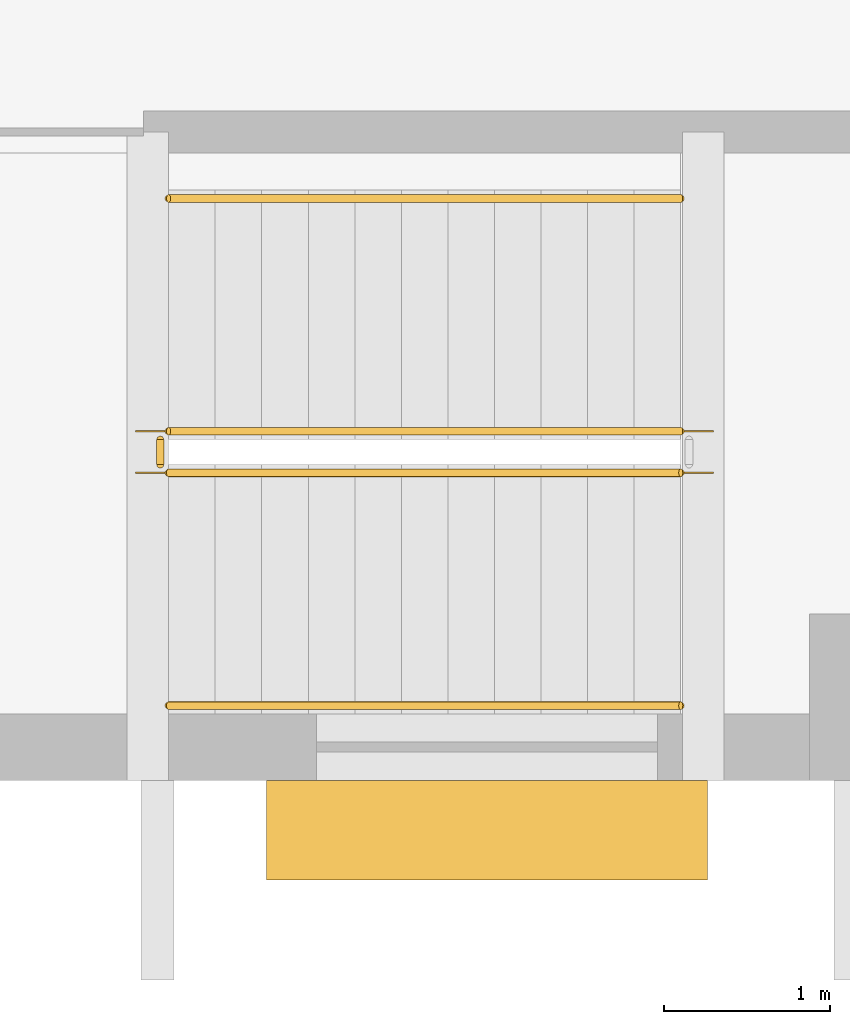
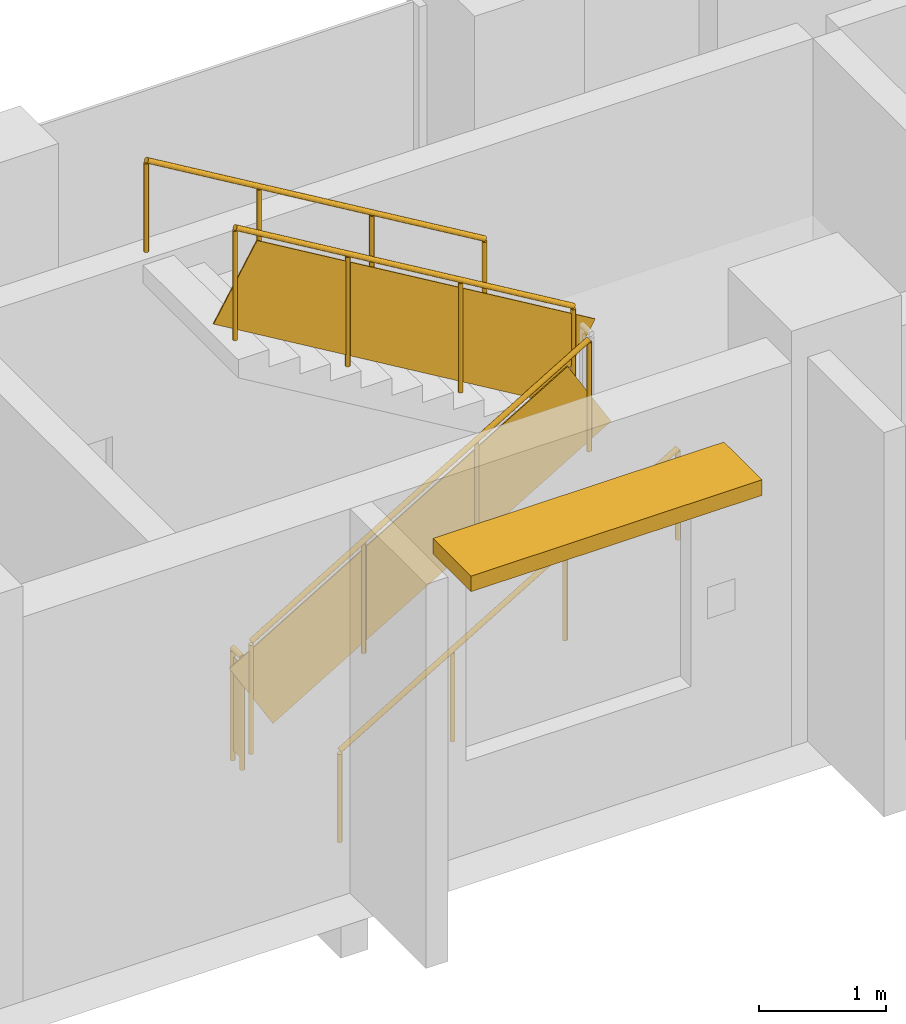
# One storey, part 18 of 25: 5 railings, 1 shading device.
"""IFC4 building model written with IfcOpenShell, lengths in metres."""

from ifc_helpers import new_model, si_unit, direction, frame, origin, origin_2d, place, context, subcontext, project, spatial, rectangle, circle, extrude, material, layer, layer_set, type_object, element, save


model = new_model("IFC4")

# Units and contexts
model_context = context("Model", 3, precision=1e-05, world=origin(), true_north=direction((0.0, 1.0)))
body_context = subcontext(model_context, "Body", "Model", "MODEL_VIEW")
ifc_project = project(units=[si_unit("LENGTHUNIT", "METRE"), si_unit("AREAUNIT", "SQUARE_METRE"), si_unit("VOLUMEUNIT", "CUBIC_METRE"), si_unit("PLANEANGLEUNIT", "RADIAN"), si_unit("MASSUNIT", "GRAM", prefix="KILO")], contexts=[model_context])

# Site, building, storey
site_placement = place(None, origin())
site = spatial("IfcSite", under=ifc_project, at=site_placement, CompositionType="ELEMENT")
building_placement = place(site_placement, origin())
building = spatial("IfcBuilding", under=site, at=building_placement, Name="Vidyagriha Tower", CompositionType="ELEMENT")
storey_placement = place(building_placement, frame((0.0, 0.0, 18.0)))
storey = spatial("IfcBuildingStorey", under=building, at=storey_placement, Name="L04", CompositionType="ELEMENT", Elevation=18.0)

# Shading device
ifc_material_1 = material(Name="Precast concrete C40/50 with brick facing", Category="concrete")
ifc_layer = layer(ifc_material_1, 0.14990234375)
ifc_layer_set = layer_set([ifc_layer], Name="Precast concrete C40/50 with brick facing")
shading_device_type = type_object("IfcShadingDeviceType", Name="Brick chhajja window hood", PredefinedType="AWNING", material=ifc_layer_set)
shading_device_placement = place(storey_placement, frame((-8.43994140625, -50.300048828125, 3.0)))
element("IfcShadingDevice", 1, at=shading_device_placement, inside=storey, type_object=shading_device_type, Name="Window hood L04 R06.17", PredefinedType="AWNING", context=body_context, shape_type="SweptSolid", body=[
    extrude(rectangle(XDim=2.64990234375, YDim=0.60009765625, at=origin_2d()), origin(), (0.0, 0.0, 1.0), 0.14990234375),
])

# Railings
ifc_material_2 = material(Name="Powder coated ASTM A500 Grade C steel balustrade", Category="steel")
railing_type_1 = type_object("IfcRailingType", Name="Podium Stair Guard 1100", PredefinedType="GUARDRAIL", material=ifc_material_2)
railing_1_placement = place(storey_placement, frame((-10.35498046875, -48.14990234375, 0.166748046875)))
element("IfcRailing", 2, at=railing_1_placement, inside=storey, type_object=railing_type_1, Name="L04 PS3 stair guard 1", PredefinedType="GUARDRAIL", context=body_context, shape_type="SweptSolid", body=[
    extrude(circle(Radius=0.02392578125, at=origin_2d()), frame((0.0, 0.0, 1.076171875), z_axis=(0.859308565015, 0.0, 0.511457515432), x_axis=(0.0, 1.0, 0.0)), (0.0, 0.0, 1.0), 3.58447265625),
    extrude(circle(Radius=0.02099609375, at=origin_2d()), origin(), (0.0, 0.0, 1.0), 1.052001953125),
    extrude(circle(Radius=0.02099609375, at=origin_2d()), frame((1.026611328125, 0.0, 0.611083984375)), (0.0, 0.0, 1.0), 1.052001953125),
    extrude(circle(Radius=0.02099609375, at=origin_2d()), frame((2.053466796875, 0.0, 1.22216796875)), (0.0, 0.0, 1.0), 1.052001953125),
    extrude(circle(Radius=0.02099609375, at=origin_2d()), frame((3.080078125, 0.0, 1.833251953125)), (0.0, 0.0, 1.0), 1.052001953125),
    extrude(rectangle(XDim=0.010009765625, YDim=0.775146484375, at=origin_2d()), frame((0.0, 0.0, 0.551025390625), z_axis=(0.859308565015, 0.0, 0.511457515432), x_axis=(0.0, 1.0, 0.0)), (0.0, 0.0, 1.0), 3.58447265625),
])
railing_2_placement = place(storey_placement, frame((-7.27490234375, -47.89990234375, 2.166748046875)))
element("IfcRailing", 3, at=railing_2_placement, inside=storey, type_object=railing_type_1, Name="L04 PS3 stair guard 3", PredefinedType="GUARDRAIL", context=body_context, shape_type="SweptSolid", body=[
    extrude(circle(Radius=0.02392578125, at=origin_2d()), frame((0.0, 0.0, 1.076171875), z_axis=(-0.859308565015, 0.0, 0.511457515432), x_axis=(0.0, -1.0, 0.0)), (0.0, 0.0, 1.0), 3.58447265625),
    extrude(circle(Radius=0.02099609375, at=origin_2d()), origin(), (0.0, 0.0, 1.0), 1.052001953125),
    extrude(circle(Radius=0.02099609375, at=origin_2d()), frame((-1.026611328125, 0.0, 0.611083984375)), (0.0, 0.0, 1.0), 1.052001953125),
    extrude(circle(Radius=0.02099609375, at=origin_2d()), frame((-2.053466796875, 0.0, 1.22216796875)), (0.0, 0.0, 1.0), 1.052001953125),
    extrude(circle(Radius=0.02099609375, at=origin_2d()), frame((-3.080078125, 0.0, 1.833251953125)), (0.0, 0.0, 1.0), 1.052001953125),
    extrude(rectangle(XDim=0.010009765625, YDim=0.775146484375, at=origin_2d()), frame((0.0, 0.0, 0.551025390625), z_axis=(-0.859308565015, 0.0, 0.511457515432), x_axis=(0.0, -1.0, 0.0)), (0.0, 0.0, 1.0), 3.58447265625),
])
railing_3_placement = place(storey_placement, frame((-10.405029296875, -48.10009765625, 0.0)))
element("IfcRailing", 4, at=railing_3_placement, inside=storey, type_object=railing_type_1, Name="L04 PS3 stair guard 4", PredefinedType="GUARDRAIL", context=body_context, shape_type="SweptSolid", body=[
    extrude(circle(Radius=0.02392578125, at=origin_2d()), frame((0.0, 0.0, 1.076171875), z_axis=(0.0, 1.0, 0.0), x_axis=(-1.0, 0.0, 0.0)), (0.0, 0.0, 1.0), 0.150146484375),
    extrude(circle(Radius=0.02099609375, at=origin_2d()), origin(), (0.0, 0.0, 1.0), 1.052001953125),
    extrude(circle(Radius=0.02099609375, at=origin_2d()), frame((0.0, 0.150146484375, 0.0)), (0.0, 0.0, 1.0), 1.052001953125),
    extrude(rectangle(XDim=0.010009765625, YDim=0.902099609375, at=origin_2d()), frame((0.0, 0.0, 0.551025390625), z_axis=(0.0, 1.0, 0.0), x_axis=(-1.0, 0.0, 0.0)), (0.0, 0.0, 1.0), 0.150146484375),
])
ifc_material_3 = material(Name="Powder coated ASTM A500 Grade C steel handrail", Category="steel")
railing_type_2 = type_object("IfcRailingType", Name="Podium Stair Handrail 900", PredefinedType="HANDRAIL", material=ifc_material_3)
railing_4_placement = place(storey_placement, frame((-10.35498046875, -49.550048828125, 0.166748046875)))
element("IfcRailing", 5, at=railing_4_placement, inside=storey, type_object=railing_type_2, Name="L04 PS3 stair handrail 1", PredefinedType="HANDRAIL", context=body_context, shape_type="SweptSolid", body=[
    extrude(circle(Radius=0.02392578125, at=origin_2d()), frame((0.0, 0.0, 0.8759765625), z_axis=(0.859308565015, 0.0, 0.511457515432), x_axis=(0.0, 1.0, 0.0)), (0.0, 0.0, 1.0), 3.58447265625),
    extrude(circle(Radius=0.02099609375, at=origin_2d()), origin(), (0.0, 0.0, 1.0), 0.851806640625),
    extrude(circle(Radius=0.02099609375, at=origin_2d()), frame((1.026611328125, 0.0, 0.611083984375)), (0.0, 0.0, 1.0), 0.851806640625),
    extrude(circle(Radius=0.02099609375, at=origin_2d()), frame((2.053466796875, 0.0, 1.22216796875)), (0.0, 0.0, 1.0), 0.851806640625),
    extrude(circle(Radius=0.02099609375, at=origin_2d()), frame((3.080078125, 0.0, 1.833251953125)), (0.0, 0.0, 1.0), 0.851806640625),
])
railing_5_placement = place(storey_placement, frame((-7.27490234375, -46.5, 2.166748046875)))
element("IfcRailing", 6, at=railing_5_placement, inside=storey, type_object=railing_type_2, Name="L04 PS3 stair handrail 2", PredefinedType="HANDRAIL", context=body_context, shape_type="SweptSolid", body=[
    extrude(circle(Radius=0.02392578125, at=origin_2d()), frame((0.0, 0.0, 0.8759765625), z_axis=(-0.859308565015, 0.0, 0.511457515432), x_axis=(0.0, -1.0, 0.0)), (0.0, 0.0, 1.0), 3.58447265625),
    extrude(circle(Radius=0.02099609375, at=origin_2d()), origin(), (0.0, 0.0, 1.0), 0.851806640625),
    extrude(circle(Radius=0.02099609375, at=origin_2d()), frame((-1.026611328125, 0.0, 0.611083984375)), (0.0, 0.0, 1.0), 0.851806640625),
    extrude(circle(Radius=0.02099609375, at=origin_2d()), frame((-2.053466796875, 0.0, 1.22216796875)), (0.0, 0.0, 1.0), 0.851806640625),
    extrude(circle(Radius=0.02099609375, at=origin_2d()), frame((-3.080078125, 0.0, 1.833251953125)), (0.0, 0.0, 1.0), 0.851806640625),
])

save(model, "model.ifc")
